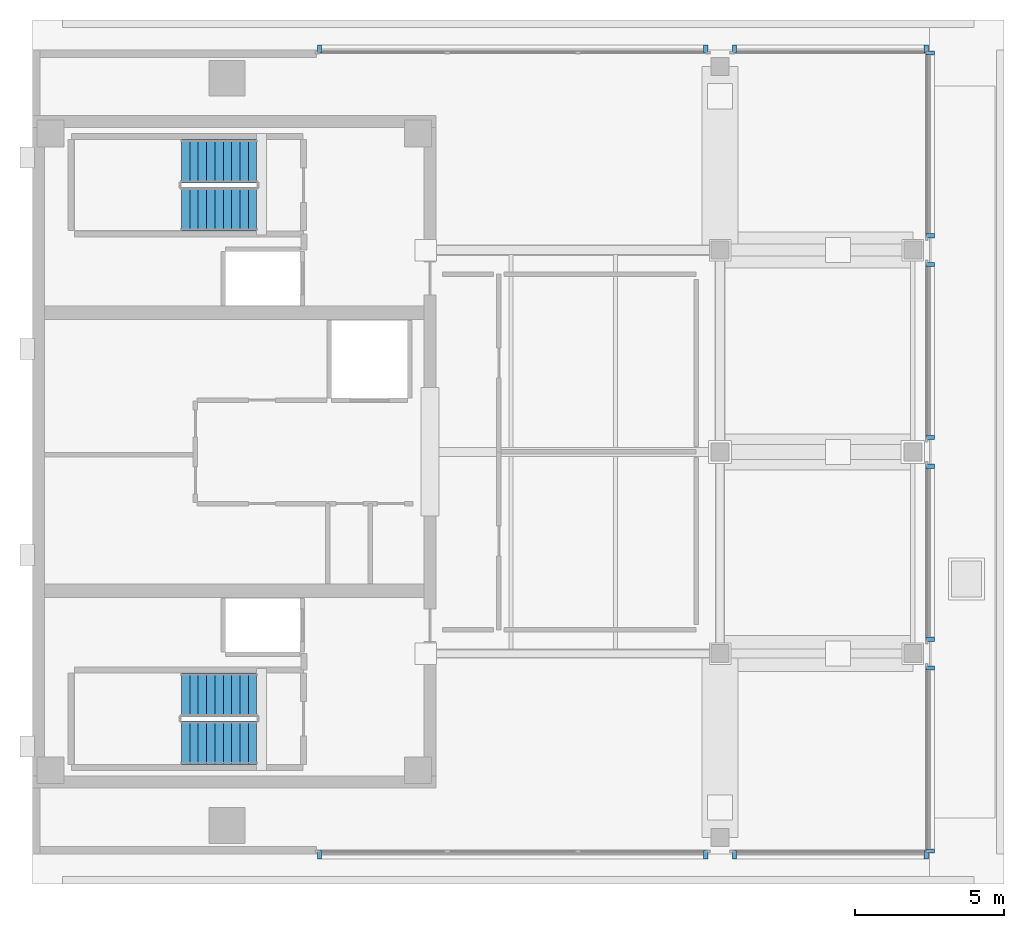
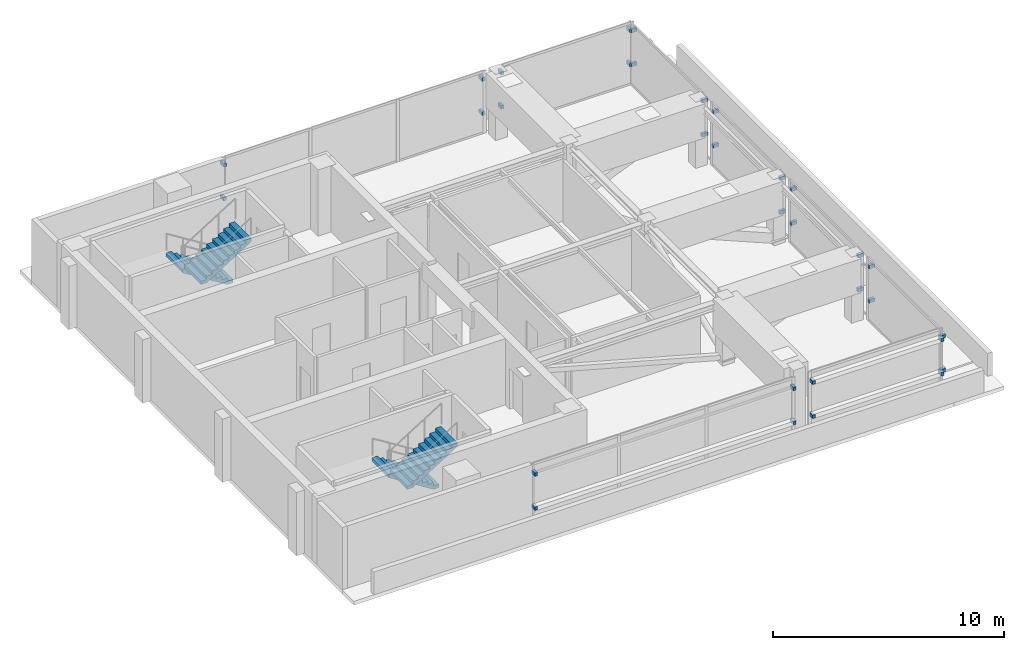
# One storey, part 6 of 9: 32 discrete accessories, 4 stair flights, 2 elements without a shape of their own.
"""IFC4 building model written with IfcOpenShell, lengths in metres."""

from ifc_helpers import new_model, si_unit, direction, frame, origin, origin_2d, place, context, subcontext, project, spatial, polyline, rectangle, outline, extrude, material, type_object, element, aggregate, save


model = new_model("IFC4")

# Units and contexts
model_context = context("Model", 3, precision=1e-05, world=origin(), true_north=direction((0.0, 1.0)))
body_context = subcontext(model_context, "Body", "Model", "MODEL_VIEW")
ifc_project = project(units=[si_unit("LENGTHUNIT", "METRE"), si_unit("AREAUNIT", "SQUARE_METRE"), si_unit("VOLUMEUNIT", "CUBIC_METRE"), si_unit("PLANEANGLEUNIT", "RADIAN"), si_unit("MASSUNIT", "GRAM", prefix="KILO")], contexts=[model_context])

# Site, building, storey
site_placement = place(None, origin())
site = spatial("IfcSite", under=ifc_project, at=site_placement, CompositionType="ELEMENT")
building_placement = place(site_placement, origin())
building = spatial("IfcBuilding", under=site, at=building_placement, Name="Kinhvarn Gate Tower", CompositionType="ELEMENT")
storey_placement = place(building_placement, frame((0.0, 0.0, 314.550048828125)))
storey = spatial("IfcBuildingStorey", under=building, at=storey_placement, Name="L83", CompositionType="ELEMENT", Elevation=314.550048828125)

# Stair, stair flights
ifc_material_1 = material(Name="Concrete C40/50", Category="concrete")
stair_type = type_object("IfcStairType", Name="STR-DLG-175", PredefinedType="HALF_TURN_STAIR", material=ifc_material_1)
stair_1_placement = place(storey_placement, origin())
stair_1 = element("IfcStair", 1, at=stair_1_placement, inside=storey, type_object=stair_type, Name="L83 Core Smokeproof Exit Stair ST1", PredefinedType="HALF_TURN_STAIR")
stair_flight_type = type_object("IfcStairFlightType", Name="STF-DLG-175", PredefinedType="STRAIGHT", material=ifc_material_1)
stair_flight_1_placement = place(storey_placement, frame((12.0, 17.125, 0.0), z_axis=(0.0, 0.0, 1.0), x_axis=(-1.0, 0.0, 0.0)))
stair_flight_1 = element("IfcStairFlight", 2, at=stair_flight_1_placement, type_object=stair_flight_type, Name="ST1 flight 1", NumberOfRisers=10, NumberOfTreads=9, PredefinedType="STRAIGHT", RiserHeight=0.175, TreadLength=0.28, context=body_context, shape_type="SweptSolid", body=[
    extrude(outline(polyline([(0.0, 0.0), (0.0, 0.175048828125), (0.280029296875, 0.175048828125), (0.280029296875, 0.35009765625), (0.56005859375, 0.35009765625), (0.56005859375, 0.52490234375), (0.840087890625, 0.52490234375), (0.840087890625, 0.699951171875), (1.1201171875, 0.699951171875), (1.1201171875, 0.875), (1.39990234375, 0.875), (1.39990234375, 1.050048828125), (1.679931640625, 1.050048828125), (1.679931640625, 1.22509765625), (1.9599609375, 1.22509765625), (1.9599609375, 1.39990234375), (2.239990234375, 1.39990234375), (2.239990234375, 1.574951171875), (2.52001953125, 1.574951171875), (2.52001953125, 1.75), (2.52001953125, 1.398193359375), (0.28271484375, 0.0), (0.0, 0.0)])), frame((0.0, 0.72509765625, 0.0), z_axis=(0.0, -1.0, 0.0), x_axis=(1.0, 0.0, 0.0)), (0.0, 0.0, 1.0), 1.449951171875),
])
stair_flight_2_placement = place(storey_placement, frame((9.47998046875, 15.52490234375, 1.75), z_axis=(0.0, 0.0, 1.0), x_axis=(1.0, 0.0, 0.0)))
stair_flight_2 = element("IfcStairFlight", 3, at=stair_flight_2_placement, type_object=stair_flight_type, Name="ST1 flight 2", NumberOfRisers=10, NumberOfTreads=9, PredefinedType="STRAIGHT", RiserHeight=0.175, TreadLength=0.28, context=body_context, shape_type="SweptSolid", body=[
    extrude(outline(polyline([(0.0, 0.0), (0.0, 0.175048828125), (0.280029296875, 0.175048828125), (0.280029296875, 0.35009765625), (0.56005859375, 0.35009765625), (0.56005859375, 0.52490234375), (0.840087890625, 0.52490234375), (0.840087890625, 0.699951171875), (1.1201171875, 0.699951171875), (1.1201171875, 0.875), (1.39990234375, 0.875), (1.39990234375, 1.050048828125), (1.679931640625, 1.050048828125), (1.679931640625, 1.22509765625), (1.9599609375, 1.22509765625), (1.9599609375, 1.39990234375), (2.239990234375, 1.39990234375), (2.239990234375, 1.574951171875), (2.52001953125, 1.574951171875), (2.52001953125, 1.75), (2.52001953125, 1.398193359375), (0.28271484375, 0.0), (0.0, 0.0)])), frame((0.0, 0.72509765625, 0.0), z_axis=(0.0, -1.0, 0.0), x_axis=(1.0, 0.0, 0.0)), (0.0, 0.0, 1.0), 1.449951171875),
])
aggregate(stair_1, [stair_flight_1, stair_flight_2])

stair_2_placement = place(storey_placement, origin())
stair_2 = element("IfcStair", 4, at=stair_2_placement, inside=storey, type_object=stair_type, Name="L83 Core Smokeproof Exit Stair ST2", PredefinedType="HALF_TURN_STAIR")
stair_flight_3_placement = place(storey_placement, frame((12.0, 34.97509765625, 0.0), z_axis=(0.0, 0.0, 1.0), x_axis=(-1.0, 0.0, 0.0)))
stair_flight_3 = element("IfcStairFlight", 5, at=stair_flight_3_placement, type_object=stair_flight_type, Name="ST2 flight 1", NumberOfRisers=10, NumberOfTreads=9, PredefinedType="STRAIGHT", RiserHeight=0.175, TreadLength=0.28, context=body_context, shape_type="SweptSolid", body=[
    extrude(outline(polyline([(0.0, 0.0), (0.0, 0.175048828125), (0.280029296875, 0.175048828125), (0.280029296875, 0.35009765625), (0.56005859375, 0.35009765625), (0.56005859375, 0.52490234375), (0.840087890625, 0.52490234375), (0.840087890625, 0.699951171875), (1.1201171875, 0.699951171875), (1.1201171875, 0.875), (1.39990234375, 0.875), (1.39990234375, 1.050048828125), (1.679931640625, 1.050048828125), (1.679931640625, 1.22509765625), (1.9599609375, 1.22509765625), (1.9599609375, 1.39990234375), (2.239990234375, 1.39990234375), (2.239990234375, 1.574951171875), (2.52001953125, 1.574951171875), (2.52001953125, 1.75), (2.52001953125, 1.398193359375), (0.28271484375, 0.0), (0.0, 0.0)])), frame((0.0, 0.72509765625, 0.0), z_axis=(0.0, -1.0, 0.0), x_axis=(1.0, 0.0, 0.0)), (0.0, 0.0, 1.0), 1.449951171875),
])
stair_flight_4_placement = place(storey_placement, frame((9.47998046875, 33.375, 1.75), z_axis=(0.0, 0.0, 1.0), x_axis=(1.0, 0.0, 0.0)))
stair_flight_4 = element("IfcStairFlight", 6, at=stair_flight_4_placement, type_object=stair_flight_type, Name="ST2 flight 2", NumberOfRisers=10, NumberOfTreads=9, PredefinedType="STRAIGHT", RiserHeight=0.175, TreadLength=0.28, context=body_context, shape_type="SweptSolid", body=[
    extrude(outline(polyline([(0.0, 0.0), (0.0, 0.175048828125), (0.280029296875, 0.175048828125), (0.280029296875, 0.35009765625), (0.56005859375, 0.35009765625), (0.56005859375, 0.52490234375), (0.840087890625, 0.52490234375), (0.840087890625, 0.699951171875), (1.1201171875, 0.699951171875), (1.1201171875, 0.875), (1.39990234375, 0.875), (1.39990234375, 1.050048828125), (1.679931640625, 1.050048828125), (1.679931640625, 1.22509765625), (1.9599609375, 1.22509765625), (1.9599609375, 1.39990234375), (2.239990234375, 1.39990234375), (2.239990234375, 1.574951171875), (2.52001953125, 1.574951171875), (2.52001953125, 1.75), (2.52001953125, 1.398193359375), (0.28271484375, 0.0), (0.0, 0.0)])), frame((0.0, 0.72509765625, 0.0), z_axis=(0.0, -1.0, 0.0), x_axis=(1.0, 0.0, 0.0)), (0.0, 0.0, 1.0), 1.449951171875),
])
aggregate(stair_2, [stair_flight_3, stair_flight_4])

# Discrete accessories
ifc_material_2 = material(Name="Anodised aluminium AW-6063", Category="aluminium")
discrete_accessory_type = type_object("IfcDiscreteAccessoryType", Name="ACC-BRK-01", PredefinedType="BRACKET", material=ifc_material_2)
for number, where, z_axis, x_axis, name in (
    (7, (14.10009765625, 11.77001953125, 0.9599609375), (0.0, 0.0, 1.0), (1.0, 0.0, 0.0), "Baguette Support Bracket BK-01 (L83)"),
    (8, (14.10009765625, 11.77001953125, 2.759765625), (0.0, 0.0, 1.0), (1.0, 0.0, 0.0), "Baguette Support Bracket BK-01 (L83)"),
    (9, (27.02001953125, 11.77001953125, 0.9599609375), (0.0, 0.0, 1.0), (1.0, 0.0, 0.0), "Baguette Support Bracket BK-01 (L83)"),
    (10, (27.02001953125, 11.77001953125, 2.759765625), (0.0, 0.0, 1.0), (1.0, 0.0, 0.0), "Baguette Support Bracket BK-01 (L83)"),
    (11, (27.97998046875, 11.77001953125, 0.9599609375), (0.0, 0.0, 1.0), (1.0, 0.0, 0.0), "Baguette Support Bracket BK-01 (L83)"),
    (12, (27.97998046875, 11.77001953125, 2.759765625), (0.0, 0.0, 1.0), (1.0, 0.0, 0.0), "Baguette Support Bracket BK-01 (L83)"),
    (13, (34.39990234375, 11.77001953125, 0.9599609375), (0.0, 0.0, 1.0), (1.0, 0.0, 0.0), "Baguette Support Bracket BK-01 (L83)"),
    (14, (34.39990234375, 11.77001953125, 2.759765625), (0.0, 0.0, 1.0), (1.0, 0.0, 0.0), "Baguette Support Bracket BK-01 (L83)"),
    (15, (34.39990234375, 38.72998046875, 0.9599609375), (0.0, 0.0, 1.0), (-1.0, 0.0, 0.0), "Baguette Support Bracket BK-01 (L83)"),
    (16, (34.39990234375, 38.72998046875, 2.759765625), (0.0, 0.0, 1.0), (-1.0, 0.0, 0.0), "Baguette Support Bracket BK-01 (L83)"),
    (17, (27.97998046875, 38.72998046875, 0.9599609375), (0.0, 0.0, 1.0), (-1.0, 0.0, 0.0), "Baguette Support Bracket BK-01 (L83)"),
    (18, (27.97998046875, 38.72998046875, 2.759765625), (0.0, 0.0, 1.0), (-1.0, 0.0, 0.0), "Baguette Support Bracket BK-01 (L83)"),
    (19, (27.02001953125, 38.72998046875, 0.9599609375), (0.0, 0.0, 1.0), (-1.0, 0.0, 0.0), "Baguette Support Bracket BK-01 (L83)"),
    (20, (27.02001953125, 38.72998046875, 2.759765625), (0.0, 0.0, 1.0), (-1.0, 0.0, 0.0), "Baguette Support Bracket BK-01 (L83)"),
    (21, (14.10009765625, 38.72998046875, 0.9599609375), (0.0, 0.0, 1.0), (-1.0, 0.0, 0.0), "Baguette Support Bracket BK-01 (L83)"),
    (22, (14.10009765625, 38.72998046875, 2.759765625), (0.0, 0.0, 1.0), (-1.0, 0.0, 0.0), "Baguette Support Bracket BK-01 (L83)"),
    (23, (34.530029296875, 11.89990234375, 0.9599609375), (0.0, 0.0, 1.0), (0.0, 1.0, 0.0), "Baguette Support Bracket BK-01 (L83)"),
    (24, (34.530029296875, 11.89990234375, 2.759765625), (0.0, 0.0, 1.0), (0.0, 1.0, 0.0), "Baguette Support Bracket BK-01 (L83)"),
    (25, (34.530029296875, 18.02001953125, 0.9599609375), (0.0, 0.0, 1.0), (0.0, 1.0, 0.0), "Baguette Support Bracket BK-01 (L83)"),
    (26, (34.530029296875, 18.02001953125, 2.759765625), (0.0, 0.0, 1.0), (0.0, 1.0, 0.0), "Baguette Support Bracket BK-01 (L83)"),
    (27, (34.530029296875, 18.97998046875, 0.9599609375), (0.0, 0.0, 1.0), (0.0, 1.0, 0.0), "Baguette Support Bracket BK-01 (L83)"),
    (28, (34.530029296875, 18.97998046875, 2.759765625), (0.0, 0.0, 1.0), (0.0, 1.0, 0.0), "Baguette Support Bracket BK-01 (L83)"),
    (29, (34.530029296875, 24.77001953125, 0.9599609375), (0.0, 0.0, 1.0), (0.0, 1.0, 0.0), "Baguette Support Bracket BK-01 (L83)"),
    (30, (34.530029296875, 24.77001953125, 2.759765625), (0.0, 0.0, 1.0), (0.0, 1.0, 0.0), "Baguette Support Bracket BK-01 (L83)"),
    (31, (34.530029296875, 25.72998046875, 0.9599609375), (0.0, 0.0, 1.0), (0.0, 1.0, 0.0), "Baguette Support Bracket BK-01 (L83)"),
    (32, (34.530029296875, 25.72998046875, 2.759765625), (0.0, 0.0, 1.0), (0.0, 1.0, 0.0), "Baguette Support Bracket BK-01 (L83)"),
    (33, (34.530029296875, 31.52001953125, 0.9599609375), (0.0, 0.0, 1.0), (0.0, 1.0, 0.0), "Baguette Support Bracket BK-01 (L83)"),
    (34, (34.530029296875, 31.52001953125, 2.759765625), (0.0, 0.0, 1.0), (0.0, 1.0, 0.0), "Baguette Support Bracket BK-01 (L83)"),
    (35, (34.530029296875, 32.47998046875, 0.9599609375), (0.0, 0.0, 1.0), (0.0, 1.0, 0.0), "Baguette Support Bracket BK-01 (L83)"),
    (36, (34.530029296875, 32.47998046875, 2.759765625), (0.0, 0.0, 1.0), (0.0, 1.0, 0.0), "Baguette Support Bracket BK-01 (L83)"),
    (37, (34.530029296875, 38.60009765625, 0.9599609375), (0.0, 0.0, 1.0), (0.0, 1.0, 0.0), "Baguette Support Bracket BK-01 (L83)"),
    (38, (34.530029296875, 38.60009765625, 2.759765625), (0.0, 0.0, 1.0), (0.0, 1.0, 0.0), "Baguette Support Bracket BK-01 (L83)"),
):
    element("IfcDiscreteAccessory", number, at=place(storey_placement, frame(where, z_axis=z_axis, x_axis=x_axis)), inside=storey, type_object=discrete_accessory_type, Name=name, PredefinedType="BRACKET", context=body_context, shape_type="SweptSolid", body=[
        extrude(rectangle(XDim=0.139892578125, YDim=0.280029296875, at=origin_2d()), origin(), (0.0, 0.0, 1.0), 0.179931640625),
    ])

save(model, "model.ifc")
